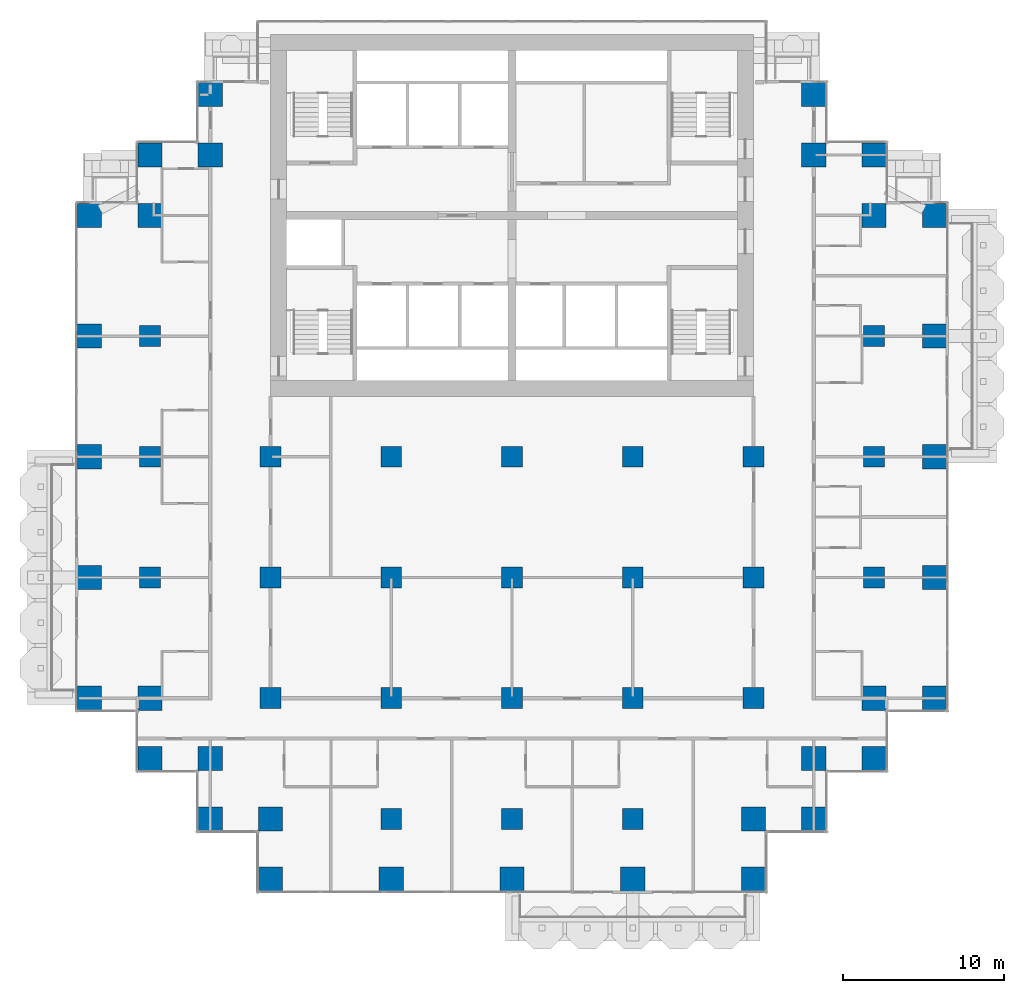
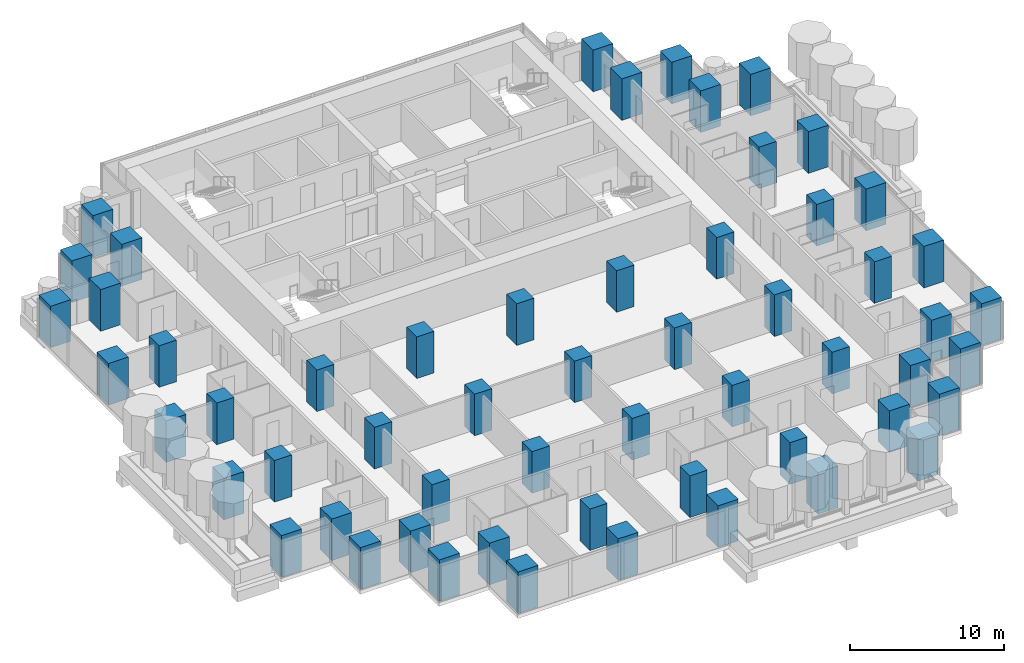
# One storey, part 1 of 19: 57 columns.
"""IFC4 building model written with IfcOpenShell, lengths in metres."""

from ifc_helpers import new_model, si_unit, direction, frame, origin, origin_2d, place, context, subcontext, project, spatial, rectangle, extrude, material, material_profile, profile_set, type_object, element, save


model = new_model("IFC4")

# Units and contexts
model_context = context("Model", 3, precision=1e-05, world=origin(), true_north=direction((0.0, 1.0)))
body_context = subcontext(model_context, "Body", "Model", "MODEL_VIEW")
ifc_project = project(units=[si_unit("LENGTHUNIT", "METRE"), si_unit("AREAUNIT", "SQUARE_METRE"), si_unit("VOLUMEUNIT", "CUBIC_METRE"), si_unit("PLANEANGLEUNIT", "RADIAN"), si_unit("MASSUNIT", "GRAM", prefix="KILO")], contexts=[model_context])

# Site, building, storey
site_placement = place(None, origin())
site = spatial("IfcSite", under=ifc_project, at=site_placement, CompositionType="ELEMENT")
building_placement = place(site_placement, origin())
building = spatial("IfcBuilding", under=site, at=building_placement, Name="Pilkhan Gate Tower", CompositionType="ELEMENT")
storey_placement = place(building_placement, frame((0.0, 0.0, 79.10009765625)))
storey = spatial("IfcBuildingStorey", under=building, at=storey_placement, Name="L18", CompositionType="ELEMENT", Elevation=79.10009765625)

# Columns
ifc_material = material(Name="Concrete C70/85", Category="concrete")
ifc_material_profile_1 = material_profile(ifc_material, rectangle(XDim=1.300048828125, YDim=1.300048828125, at=origin_2d()), Name="RC 1300x1300")
ifc_profile_set_1 = profile_set([ifc_material_profile_1], Name="Concrete C70/85")
column_type_1 = type_object("IfcColumnType", Name="Column C130 RC 1300x1300 C70/85", PredefinedType="COLUMN", material=ifc_profile_set_1)
for number, where, z_axis, x_axis, name in (
    (1, (52.5, 60.0, 0.0), (0.0, 0.0, 1.0), (1.0, 0.0, 0.0), "Column 5/F L18"),
    (2, (52.5, 67.5, 0.0), (0.0, 0.0, 1.0), (1.0, 0.0, 0.0), "Column 5/H L18"),
    (3, (52.5, 75.0, 0.0), (0.0, 0.0, 1.0), (1.0, 0.0, 0.0), "Column 5/K L18"),
    (4, (60.0, 52.5, 0.0), (0.0, 0.0, 1.0), (1.0, 0.0, 0.0), "Column 7/D L18"),
    (5, (60.0, 60.0, 0.0), (0.0, 0.0, 1.0), (1.0, 0.0, 0.0), "Column 7/F L18"),
    (6, (60.0, 67.5, 0.0), (0.0, 0.0, 1.0), (1.0, 0.0, 0.0), "Column 7/H L18"),
    (7, (67.5, 45.0, 0.0), (0.0, 0.0, 1.0), (1.0, 0.0, 0.0), "Column 9/B L18"),
    (8, (67.5, 52.5, 0.0), (0.0, 0.0, 1.0), (1.0, 0.0, 0.0), "Column 9/D L18"),
    (9, (67.5, 60.0, 0.0), (0.0, 0.0, 1.0), (1.0, 0.0, 0.0), "Column 9/F L18"),
    (10, (67.5, 67.5, 0.0), (0.0, 0.0, 1.0), (1.0, 0.0, 0.0), "Column 9/H L18"),
    (11, (75.0, 45.0, 0.0), (0.0, 0.0, 1.0), (1.0, 0.0, 0.0), "Column 11/B L18"),
    (12, (75.0, 52.5, 0.0), (0.0, 0.0, 1.0), (1.0, 0.0, 0.0), "Column 11/D L18"),
    (13, (75.0, 60.0, 0.0), (0.0, 0.0, 1.0), (1.0, 0.0, 0.0), "Column 11/F L18"),
    (14, (75.0, 67.5, 0.0), (0.0, 0.0, 1.0), (1.0, 0.0, 0.0), "Column 11/H L18"),
    (15, (82.5, 45.0, 0.0), (0.0, 0.0, 1.0), (1.0, 0.0, 0.0), "Column 13/B L18"),
    (16, (82.5, 52.5, 0.0), (0.0, 0.0, 1.0), (1.0, 0.0, 0.0), "Column 13/D L18"),
    (17, (82.5, 60.0, 0.0), (0.0, 0.0, 1.0), (1.0, 0.0, 0.0), "Column 13/F L18"),
    (18, (82.5, 67.5, 0.0), (0.0, 0.0, 1.0), (1.0, 0.0, 0.0), "Column 13/H L18"),
    (19, (90.0, 52.5, 0.0), (0.0, 0.0, 1.0), (1.0, 0.0, 0.0), "Column 15/D L18"),
    (20, (90.0, 60.0, 0.0), (0.0, 0.0, 1.0), (1.0, 0.0, 0.0), "Column 15/F L18"),
    (21, (90.0, 67.5, 0.0), (0.0, 0.0, 1.0), (1.0, 0.0, 0.0), "Column 15/H L18"),
    (22, (97.5, 60.0, 0.0), (0.0, 0.0, 1.0), (1.0, 0.0, 0.0), "Column 17/F L18"),
    (23, (97.5, 67.5, 0.0), (0.0, 0.0, 1.0), (1.0, 0.0, 0.0), "Column 17/H L18"),
    (24, (97.5, 75.0, 0.0), (0.0, 0.0, 1.0), (1.0, 0.0, 0.0), "Column 17/K L18"),
):
    element("IfcColumn", number, at=place(storey_placement, frame(where, z_axis=z_axis, x_axis=x_axis)), inside=storey, type_object=column_type_1, Name=name, PredefinedType="COLUMN", context=body_context, shape_type="SweptSolid", body=[
        extrude(rectangle(XDim=1.300048828125, YDim=1.300048828125, at=origin_2d()), origin(), (0.0, 0.0, 1.0), 3.2998046875),
    ])
ifc_material_profile_2 = material_profile(ifc_material, rectangle(XDim=1.5, YDim=1.5, at=origin_2d()), Name="RC 1500x1500")
ifc_profile_set_2 = profile_set([ifc_material_profile_2], Name="Concrete C70/85")
column_type_2 = type_object("IfcColumnType", Name="Column C150 RC 1500x1500 C70/85", PredefinedType="COLUMN", material=ifc_profile_set_2)
for number, where, z_axis, x_axis, name in (
    (25, (48.75, 52.5, 0.0), (0.0, 0.0, 1.0), (1.0, 0.0, 0.0), "Column 4/D L18"),
    (26, (48.75, 60.0, 0.0), (0.0, 0.0, 1.0), (1.0, 0.0, 0.0), "Column 4/F L18"),
    (27, (48.75, 67.5, 0.0), (0.0, 0.0, 1.0), (1.0, 0.0, 0.0), "Column 4/H L18"),
    (28, (48.75, 75.0, 0.0), (0.0, 0.0, 1.0), (1.0, 0.0, 0.0), "Column 4/K L18"),
    (29, (48.75, 82.5, 0.0), (0.0, 0.0, 1.0), (1.0, 0.0, 0.0), "Column 4/M L18"),
    (30, (52.5, 48.75, 0.0), (0.0, 0.0, 1.0), (1.0, 0.0, 0.0), "Column 5/C L18"),
    (31, (52.5, 52.5, 0.0), (0.0, 0.0, 1.0), (1.0, 0.0, 0.0), "Column 5/D L18"),
    (32, (52.5, 82.5, 0.0), (0.0, 0.0, 1.0), (1.0, 0.0, 0.0), "Column 5/M L18"),
    (33, (52.5, 86.25, 0.0), (0.0, 0.0, 1.0), (1.0, 0.0, 0.0), "Column 5/N L18"),
    (34, (56.25, 45.0, 0.0), (0.0, 0.0, 1.0), (1.0, 0.0, 0.0), "Column 6/B L18"),
    (35, (56.25, 48.75, 0.0), (0.0, 0.0, 1.0), (1.0, 0.0, 0.0), "Column 6/C L18"),
    (36, (56.25, 86.25, 0.0), (0.0, 0.0, 1.0), (1.0, 0.0, 0.0), "Column 6/N L18"),
    (37, (56.25, 90.0, 0.0), (0.0, 0.0, 1.0), (1.0, 0.0, 0.0), "Column 6/P L18"),
    (38, (60.0, 41.25, 0.0), (0.0, 0.0, 1.0), (1.0, 0.0, 0.0), "Column 7/A L18"),
    (39, (60.0, 45.0, 0.0), (0.0, 0.0, 1.0), (1.0, 0.0, 0.0), "Column 7/B L18"),
    (40, (67.5, 41.25, 0.0), (0.0, 0.0, 1.0), (1.0, 0.0, 0.0), "Column 9/A L18"),
    (41, (75.0, 41.25, 0.0), (0.0, 0.0, 1.0), (1.0, 0.0, 0.0), "Column 11/A L18"),
    (42, (82.5, 41.25, 0.0), (0.0, 0.0, 1.0), (1.0, 0.0, 0.0), "Column 13/A L18"),
    (43, (90.0, 41.25, 0.0), (0.0, 0.0, 1.0), (1.0, 0.0, 0.0), "Column 15/A L18"),
    (44, (90.0, 45.0, 0.0), (0.0, 0.0, 1.0), (1.0, 0.0, 0.0), "Column 15/B L18"),
    (45, (93.75, 45.0, 0.0), (0.0, 0.0, 1.0), (1.0, 0.0, 0.0), "Column 16/B L18"),
    (46, (93.75, 48.75, 0.0), (0.0, 0.0, 1.0), (1.0, 0.0, 0.0), "Column 16/C L18"),
    (47, (93.75, 86.25, 0.0), (0.0, 0.0, 1.0), (1.0, 0.0, 0.0), "Column 16/N L18"),
    (48, (93.75, 90.0, 0.0), (0.0, 0.0, 1.0), (1.0, 0.0, 0.0), "Column 16/P L18"),
    (49, (97.5, 48.75, 0.0), (0.0, 0.0, 1.0), (1.0, 0.0, 0.0), "Column 17/C L18"),
    (50, (97.5, 52.5, 0.0), (0.0, 0.0, 1.0), (1.0, 0.0, 0.0), "Column 17/D L18"),
    (51, (97.5, 82.5, 0.0), (0.0, 0.0, 1.0), (1.0, 0.0, 0.0), "Column 17/M L18"),
    (52, (97.5, 86.25, 0.0), (0.0, 0.0, 1.0), (1.0, 0.0, 0.0), "Column 17/N L18"),
    (53, (101.25, 52.5, 0.0), (0.0, 0.0, 1.0), (1.0, 0.0, 0.0), "Column 18/D L18"),
    (54, (101.25, 60.0, 0.0), (0.0, 0.0, 1.0), (1.0, 0.0, 0.0), "Column 18/F L18"),
    (55, (101.25, 67.5, 0.0), (0.0, 0.0, 1.0), (1.0, 0.0, 0.0), "Column 18/H L18"),
    (56, (101.25, 75.0, 0.0), (0.0, 0.0, 1.0), (1.0, 0.0, 0.0), "Column 18/K L18"),
    (57, (101.25, 82.5, 0.0), (0.0, 0.0, 1.0), (1.0, 0.0, 0.0), "Column 18/M L18"),
):
    element("IfcColumn", number, at=place(storey_placement, frame(where, z_axis=z_axis, x_axis=x_axis)), inside=storey, type_object=column_type_2, Name=name, PredefinedType="COLUMN", context=body_context, shape_type="SweptSolid", body=[
        extrude(rectangle(XDim=1.5, YDim=1.5, at=origin_2d()), origin(), (0.0, 0.0, 1.0), 3.2998046875),
    ])

save(model, "model.ifc")
